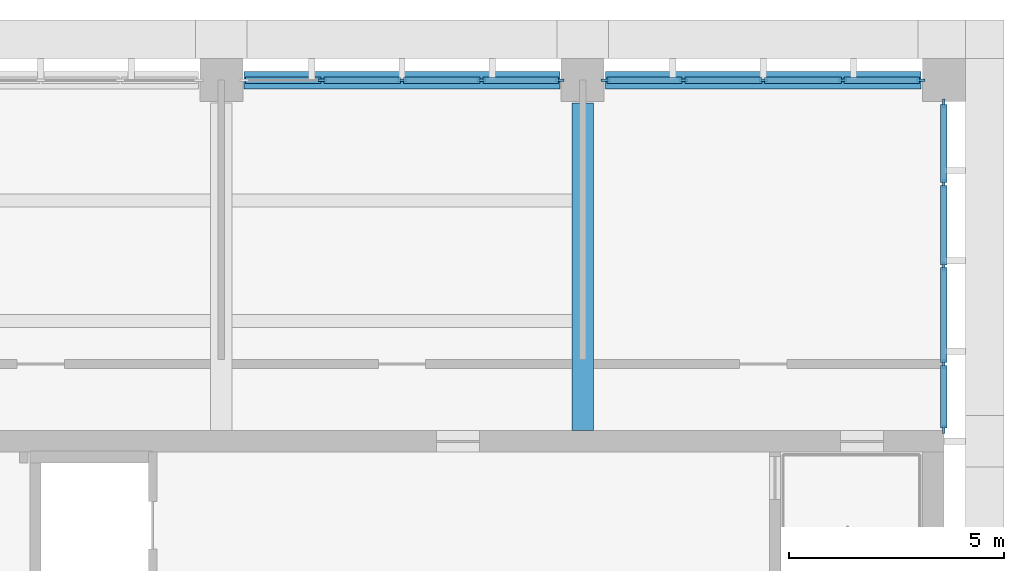
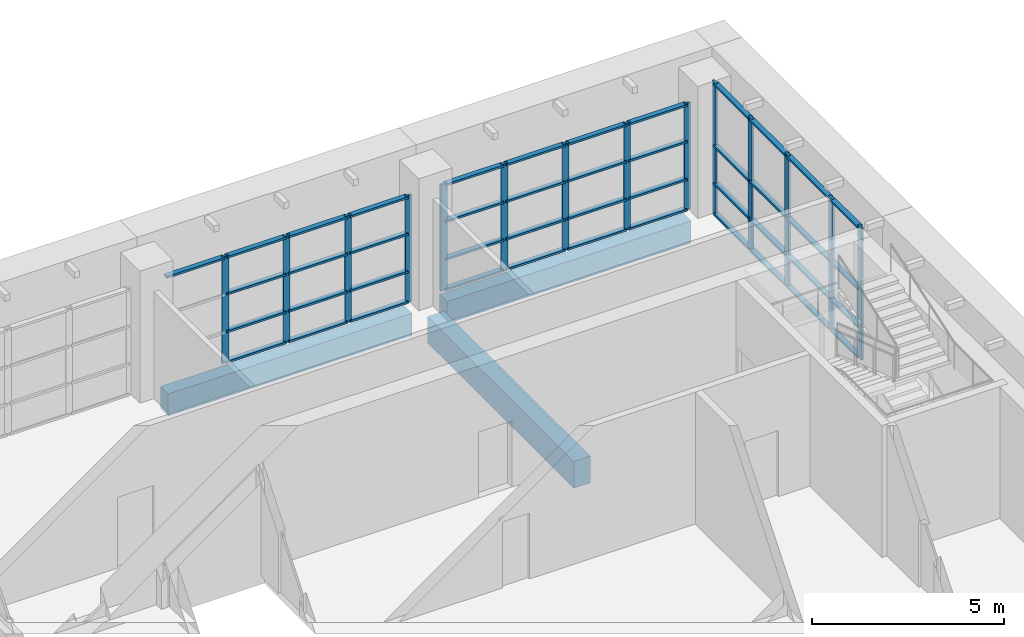
# One storey, part 9 of 56: 59 members, 3 beams, 3 elements without a shape of their own.
"""IFC4 building model written with IfcOpenShell, lengths in metres."""

import ifcopenshell
import ifcopenshell.guid

model = None  # the IFC model being written
_history = None  # IfcOwnerHistory: only IFC2X3 demands one
_inside = {}  # id of a spatial element -> (the spatial element, [elements in it])
_under = {}  # id of a project, library or spatial element -> (it, [spatial elements below it])
_declared = {}  # id of a project -> (the project, [libraries it declares])
_typed = {}  # id of a type object -> (the type object, [elements of that type])
_made_of = {}  # id of a material, layer set ... -> (it, [elements and type objects made of it])


def new_model(schema):
    """Start an empty IFC model of exactly this schema.

    Asked for "IFC4X3", IfcOpenShell would pick the latest addendum, in which some entities
    have other attributes; the version numbers below select the first issue.
    IFC2X3 requires an IfcOwnerHistory on every rooted entity: one is made here for all.
    """
    global model, _history
    if schema == "IFC4X3":
        model = ifcopenshell.file(schema_version=(4, 3, 0, 0))
    else:
        model = ifcopenshell.file(schema=schema)
    _inside.clear()
    _under.clear()
    _declared.clear()
    _typed.clear()
    _made_of.clear()
    _history = None
    if model.schema == "IFC2X3":
        org = make("IfcOrganization", Name="unknown")
        user = make(
            "IfcPersonAndOrganization",
            ThePerson=make("IfcPerson", FamilyName="unknown"),
            TheOrganization=org,
        )
        app = make(
            "IfcApplication",
            ApplicationDeveloper=org,
            Version="unknown",
            ApplicationFullName="unknown",
            ApplicationIdentifier="unknown",
        )
        _history = make(
            "IfcOwnerHistory",
            OwningUser=user,
            OwningApplication=app,
            ChangeAction="ADDED",
            CreationDate=0,
        )
    return model


def make(cls, **values):
    """One entity of the class cls with the attributes given. An attribute that is None is left unset."""
    return model.create_entity(
        cls, **{name: value for name, value in values.items() if value is not None}
    )


def rooted(cls, **values):
    """An entity with a GlobalId (a new one), such as an element, a storey or a relation."""
    return make(cls, GlobalId=ifcopenshell.guid.new(), OwnerHistory=_history, **values)


def si_unit(unit_type, name, prefix=None):
    """IfcSIUnit, for example si_unit("LENGTHUNIT", "METRE", prefix="MILLI")."""
    return make("IfcSIUnit", UnitType=unit_type, Prefix=prefix, Name=name)


def assignment(units):
    """IfcUnitAssignment: the units of a project."""
    return None if units is None else make("IfcUnitAssignment", Units=units)


def point(xyz):
    """IfcCartesianPoint."""
    return None if xyz is None else make("IfcCartesianPoint", Coordinates=xyz)


def direction(xyz):
    """IfcDirection."""
    return None if xyz is None else make("IfcDirection", DirectionRatios=xyz)


def frame(location, z_axis=None, x_axis=None):
    """IfcAxis2Placement3D, a coordinate frame: its origin and axes. An axis left out is left unset."""
    return make(
        "IfcAxis2Placement3D",
        Location=point(location),
        Axis=direction(z_axis),
        RefDirection=direction(x_axis),
    )


def frame_2d(location, x_axis=None):
    """IfcAxis2Placement2D, a coordinate frame in the plane: its origin and x axis."""
    return make(
        "IfcAxis2Placement2D", Location=point(location), RefDirection=direction(x_axis)
    )


def origin():
    """The frame at (0, 0, 0) with its axes left unset."""
    return frame((0.0, 0.0, 0.0))


def origin_2d():
    """The frame at (0, 0) in the plane with its x axis left unset."""
    return frame_2d((0.0, 0.0))


def place(relative_to, where):
    """IfcLocalPlacement: puts the frame where relative to a parent placement (None: the world)."""
    return make(
        "IfcLocalPlacement", PlacementRelTo=relative_to, RelativePlacement=where
    )


def context(
    kind, dimensions, precision=None, world=None, true_north=None, identifier=None
):
    """IfcGeometricRepresentationContext, for example the 3D "Model" context."""
    return make(
        "IfcGeometricRepresentationContext",
        ContextIdentifier=identifier,
        ContextType=kind,
        CoordinateSpaceDimension=dimensions,
        Precision=precision,
        WorldCoordinateSystem=world,
        TrueNorth=true_north,
    )


def subcontext(parent, identifier, kind, view, scale=None):
    """IfcGeometricRepresentationSubContext, for example "Body" below "Model"."""
    return make(
        "IfcGeometricRepresentationSubContext",
        ContextIdentifier=identifier,
        ContextType=kind,
        ParentContext=parent,
        TargetScale=scale,
        TargetView=view,
    )


def project(units=None, contexts=None):
    """IfcProject with its units and contexts."""
    return rooted(
        "IfcProject",
        Name="project",
        RepresentationContexts=contexts,
        UnitsInContext=assignment(units),
    )


def spatial(cls, under=None, at=None, **own):
    """A site, building, storey or space (cls), placed at a placement, below another one or the project."""
    s = rooted(cls, ObjectPlacement=at, **own)
    if under is not None:
        _under.setdefault(under.id(), (under, []))[1].append(s)
    return s


def profile(cls, at=None, kind="AREA", **sizes):
    """A parametric profile (cls). Its sizes go by their IFC names, for example OverallWidth=200.0."""
    return make(cls, ProfileType=kind, Position=at, **sizes)


def rectangle(**sizes):
    """IfcRectangleProfileDef."""
    return profile("IfcRectangleProfileDef", **sizes)


def extrude(swept, where, along, depth):
    """IfcExtrudedAreaSolid: the profile swept, set in the frame where, extruded along a direction by depth."""
    return make(
        "IfcExtrudedAreaSolid",
        SweptArea=swept,
        Position=where,
        ExtrudedDirection=direction(along),
        Depth=depth,
    )


def shape(context_of_items, identifier, shape_type, items):
    """IfcShapeRepresentation: the items that make up one representation, for example the "Body"."""
    return make(
        "IfcShapeRepresentation",
        ContextOfItems=context_of_items,
        RepresentationIdentifier=identifier,
        RepresentationType=shape_type,
        Items=items,
    )


def material(Name=None, Category=None):
    """IfcMaterial."""
    return make("IfcMaterial", Name=Name, Category=Category)


def layer(
    of_material, thickness, ventilated=None, Name=None, Category=None, Priority=None
):
    """IfcMaterialLayer: one layer of a wall or slab, of a material (None: an air gap)."""
    return make(
        "IfcMaterialLayer",
        Material=of_material,
        LayerThickness=thickness,
        IsVentilated=ventilated,
        Name=Name,
        Category=Category,
        Priority=Priority,
    )


def layer_set(layers, Name=None):
    """IfcMaterialLayerSet."""
    return make("IfcMaterialLayerSet", MaterialLayers=layers, LayerSetName=Name)


def material_profile(
    of_material, cross_section, Name=None, Category=None, Priority=None
):
    """IfcMaterialProfile: a cross section and its material."""
    return make(
        "IfcMaterialProfile",
        Name=Name,
        Material=of_material,
        Profile=cross_section,
        Priority=Priority,
        Category=Category,
    )


def profile_set(profiles, Name=None, composite=None):
    """IfcMaterialProfileSet."""
    return make(
        "IfcMaterialProfileSet",
        Name=Name,
        MaterialProfiles=profiles,
        CompositeProfile=composite,
    )


def made_of(thing, what):
    """Note that an element or type object is made of a material, layer set ...; save() writes the relation."""
    if what is not None:
        _made_of.setdefault(what.id(), (what, []))[1].append(thing)
    return thing


def type_object(cls, material=None, **own):
    """A type object (cls), such as IfcWallType, which elements share."""
    return made_of(rooted(cls, **own), material)


def element(
    cls,
    number,
    at=None,
    inside=None,
    cuts=None,
    type_object=None,
    material=None,
    context=None,
    identifier="Body",
    shape_type=None,
    held_by="IfcProductDefinitionShape",
    body=None,
    shapes=None,
    **own,
):
    """One element of the class cls, such as IfcWall. Its Tag is "e" and its number.

    at: its placement. inside: the storey or other place that contains it. cuts: it is an
    opening in that element (IfcRelVoidsElement). A single representation is given by context,
    identifier, shape_type and body (its items); several are given by shapes. held_by: the class
    of the entity that holds the representations. save() writes the other relations.
    """
    e = rooted(cls, Tag="e%d" % number, ObjectPlacement=at, **own)
    if body is not None:
        shapes = [shape(context, identifier, shape_type, body)]
    if shapes is not None:
        e.Representation = make(held_by, Representations=shapes)
    if inside is not None:
        _inside.setdefault(inside.id(), (inside, []))[1].append(e)
    if cuts is not None:
        rooted(
            "IfcRelVoidsElement", RelatingBuildingElement=cuts, RelatedOpeningElement=e
        )
    if type_object is not None:
        _typed.setdefault(type_object.id(), (type_object, []))[1].append(e)
    return made_of(e, material)


def aggregate(whole, parts):
    """IfcRelAggregates: a whole, such as a stair, and the parts it consists of."""
    return rooted("IfcRelAggregates", RelatingObject=whole, RelatedObjects=parts)


def save(model, path):
    """Write the relations noted so far, then the file.

    IfcRelAggregates (storeys below a building ...), IfcRelContainedInSpatialStructure (elements
    in a storey), IfcRelDefinesByType, IfcRelAssociatesMaterial and IfcRelDeclares: one each for
    every whole, place, type object, material and project.
    """
    for whole, parts in _under.values():
        aggregate(whole, parts)
    for where, things in _inside.values():
        rooted(
            "IfcRelContainedInSpatialStructure",
            RelatedElements=things,
            RelatingStructure=where,
        )
    for kind, things in _typed.values():
        rooted("IfcRelDefinesByType", RelatedObjects=things, RelatingType=kind)
    for what, things in _made_of.values():
        rooted("IfcRelAssociatesMaterial", RelatedObjects=things, RelatingMaterial=what)
    for by, libraries in _declared.values():
        rooted("IfcRelDeclares", RelatingContext=by, RelatedDefinitions=libraries)
    model.write(path)


model = new_model("IFC4")

# Units and contexts
model_context = context("Model", 3, precision=1e-05, world=origin(), true_north=direction((0.0, 1.0)))
body_context = subcontext(model_context, "Body", "Model", "MODEL_VIEW")
ifc_project = project(units=[si_unit("LENGTHUNIT", "METRE"), si_unit("AREAUNIT", "SQUARE_METRE"), si_unit("VOLUMEUNIT", "CUBIC_METRE"), si_unit("PLANEANGLEUNIT", "RADIAN"), si_unit("MASSUNIT", "GRAM", prefix="KILO")], contexts=[model_context])

# Site, building, storey
site_placement = place(None, origin())
site = spatial("IfcSite", under=ifc_project, at=site_placement, CompositionType="ELEMENT")
building_placement = place(site_placement, origin())
building = spatial("IfcBuilding", under=site, at=building_placement, Name="Rulbaag Community and Learning Centre", CompositionType="ELEMENT")
storey_placement = place(building_placement, frame((0.0, 0.0, 9.89990234375)))
storey = spatial("IfcBuildingStorey", under=building, at=storey_placement, Name="L02", CompositionType="ELEMENT", Elevation=9.89990234375)

# Beams
ifc_material_1 = material(Name="Concrete M40", Category="concrete")
ifc_material_profile_1 = material_profile(ifc_material_1, rectangle(XDim=0.39990234375, YDim=0.699951171875, at=origin_2d()), Name="RB400x700")
ifc_profile_set_1 = profile_set([ifc_material_profile_1], Name="Concrete M40")
beam_type_1 = type_object("IfcBeamType", Name="B17 Tower edge beam, lower zone 400x700 Concrete M40", PredefinedType="BEAM", material=ifc_profile_set_1)
for number, where, z_axis, x_axis, name in (
    (1, (151.72998046875, 117.60009765625, -0.599853515625), (1.0, 0.0, 0.0), (0.0, 1.0, 0.0), "BM-L02-19O-20O"),
    (2, (160.1298828125, 117.60009765625, -0.599853515625), (1.0, 0.0, 0.0), (0.0, 1.0, 0.0), "BM-L02-20O-21O"),
):
    element("IfcBeam", number, at=place(storey_placement, frame(where, z_axis=z_axis, x_axis=x_axis)), inside=storey, type_object=beam_type_1, Name=name, PredefinedType="BEAM", context=body_context, shape_type="SweptSolid", body=[
        extrude(rectangle(XDim=0.39990234375, YDim=0.699951171875, at=origin_2d()), origin(), (0.0, 0.0, 1.0), 7.340087890625),
    ])
ifc_material_profile_2 = material_profile(ifc_material_1, rectangle(XDim=0.5, YDim=0.85009765625, at=origin_2d()), Name="RB500x850")
ifc_profile_set_2 = profile_set([ifc_material_profile_2], Name="Concrete M40")
beam_type_2 = type_object("IfcBeamType", Name="B18 Core-framing beam, lower zone 500x850 Concrete M40", PredefinedType="BEAM", material=ifc_profile_set_2)
beam_placement = place(storey_placement, frame((159.60009765625, 109.449951171875, -0.6748046875), z_axis=(0.0, 1.0, 0.0), x_axis=(-1.0, 0.0, 0.0)))
element("IfcBeam", 3, at=beam_placement, inside=storey, type_object=beam_type_2, Name="BM-L02-20N-20O", PredefinedType="BEAM", context=body_context, shape_type="SweptSolid", body=[
    extrude(rectangle(XDim=0.5, YDim=0.85009765625, at=origin_2d()), origin(), (0.0, 0.0, 1.0), 7.6201171875),
])

# Curtain wall, members
ifc_material_2 = material(Name="Aluminium", Category="aluminium")
ifc_layer = layer(ifc_material_2, 0.14990234375)
ifc_layer_set = layer_set([ifc_layer], Name="CW-T")
curtain_wall_type = type_object("IfcCurtainWallType", Name="CW-T", PredefinedType="USERDEFINED", material=ifc_layer_set)
curtain_wall_1_placement = place(storey_placement, origin())
curtain_wall_1 = element("IfcCurtainWall", 4, at=curtain_wall_1_placement, inside=storey, type_object=curtain_wall_type, Name="GT-L02-02", ObjectType="UNITISED CURTAIN WALL", PredefinedType="USERDEFINED")
ifc_material_3 = material(Name="Aluminium mullion", Category="aluminium")
ifc_material_profile_3 = material_profile(ifc_material_3, rectangle(XDim=0.06494140625, YDim=0.199951171875, at=origin_2d()), Name="AL 65x200")
ifc_profile_set_3 = profile_set([ifc_material_profile_3], Name="Aluminium mullion")
member_type_1 = type_object("IfcMemberType", Name="CW-T-MUL", PredefinedType="MULLION", material=ifc_profile_set_3)
member_1_placement = place(storey_placement, frame((153.550048828125, 117.60009765625, 0.0), z_axis=(0.0, 0.0, 1.0), x_axis=(0.0, 1.0, 0.0)))
member_1 = element("IfcMember", 5, at=member_1_placement, type_object=member_type_1, Name="GT mullion 2", PredefinedType="MULLION", context=body_context, shape_type="SweptSolid", body=[
    extrude(rectangle(XDim=0.06494140625, YDim=0.199951171875, at=origin_2d()), origin(), (0.0, 0.0, 1.0), 3.400146484375),
])
member_2_placement = place(storey_placement, frame((155.39990234375, 117.60009765625, 0.0), z_axis=(0.0, 0.0, 1.0), x_axis=(0.0, 1.0, 0.0)))
member_2 = element("IfcMember", 6, at=member_2_placement, type_object=member_type_1, Name="GT mullion 3", PredefinedType="MULLION", context=body_context, shape_type="SweptSolid", body=[
    extrude(rectangle(XDim=0.06494140625, YDim=0.199951171875, at=origin_2d()), origin(), (0.0, 0.0, 1.0), 3.400146484375),
])
member_3_placement = place(storey_placement, frame((157.25, 117.60009765625, 0.0), z_axis=(0.0, 0.0, 1.0), x_axis=(0.0, 1.0, 0.0)))
member_3 = element("IfcMember", 7, at=member_3_placement, type_object=member_type_1, Name="GT mullion 4", PredefinedType="MULLION", context=body_context, shape_type="SweptSolid", body=[
    extrude(rectangle(XDim=0.06494140625, YDim=0.199951171875, at=origin_2d()), origin(), (0.0, 0.0, 1.0), 3.400146484375),
])
member_4_placement = place(storey_placement, frame((159.0673828125, 117.60009765625, 0.0), z_axis=(0.0, 0.0, 1.0), x_axis=(0.0, 1.0, 0.0)))
member_4 = element("IfcMember", 8, at=member_4_placement, type_object=member_type_1, Name="GT mullion 5", PredefinedType="MULLION", context=body_context, shape_type="SweptSolid", body=[
    extrude(rectangle(XDim=0.06494140625, YDim=0.199951171875, at=origin_2d()), origin(), (0.0, 0.0, 1.0), 3.400146484375),
])

curtain_wall_2_placement = place(storey_placement, origin())
curtain_wall_2 = element("IfcCurtainWall", 9, at=curtain_wall_2_placement, inside=storey, type_object=curtain_wall_type, Name="GT-L02-03", ObjectType="UNITISED CURTAIN WALL", PredefinedType="USERDEFINED")
member_5_placement = place(storey_placement, frame((160.132568359375, 117.60009765625, 0.0), z_axis=(0.0, 0.0, 1.0), x_axis=(0.0, 1.0, 0.0)))
member_5 = element("IfcMember", 10, at=member_5_placement, type_object=member_type_1, Name="GT mullion 1", PredefinedType="MULLION", context=body_context, shape_type="SweptSolid", body=[
    extrude(rectangle(XDim=0.06494140625, YDim=0.199951171875, at=origin_2d()), origin(), (0.0, 0.0, 1.0), 3.400146484375),
])
member_6_placement = place(storey_placement, frame((161.949951171875, 117.60009765625, 0.0), z_axis=(0.0, 0.0, 1.0), x_axis=(0.0, 1.0, 0.0)))
member_6 = element("IfcMember", 11, at=member_6_placement, type_object=member_type_1, Name="GT mullion 2", PredefinedType="MULLION", context=body_context, shape_type="SweptSolid", body=[
    extrude(rectangle(XDim=0.06494140625, YDim=0.199951171875, at=origin_2d()), origin(), (0.0, 0.0, 1.0), 3.400146484375),
])
member_7_placement = place(storey_placement, frame((163.800048828125, 117.60009765625, 0.0), z_axis=(0.0, 0.0, 1.0), x_axis=(0.0, 1.0, 0.0)))
member_7 = element("IfcMember", 12, at=member_7_placement, type_object=member_type_1, Name="GT mullion 3", PredefinedType="MULLION", context=body_context, shape_type="SweptSolid", body=[
    extrude(rectangle(XDim=0.06494140625, YDim=0.199951171875, at=origin_2d()), origin(), (0.0, 0.0, 1.0), 3.400146484375),
])
member_8_placement = place(storey_placement, frame((165.64990234375, 117.60009765625, 0.0), z_axis=(0.0, 0.0, 1.0), x_axis=(0.0, 1.0, 0.0)))
member_8 = element("IfcMember", 13, at=member_8_placement, type_object=member_type_1, Name="GT mullion 4", PredefinedType="MULLION", context=body_context, shape_type="SweptSolid", body=[
    extrude(rectangle(XDim=0.06494140625, YDim=0.199951171875, at=origin_2d()), origin(), (0.0, 0.0, 1.0), 3.400146484375),
])
member_9_placement = place(storey_placement, frame((167.467529296875, 117.60009765625, 0.0), z_axis=(0.0, 0.0, 1.0), x_axis=(0.0, 1.0, 0.0)))
member_9 = element("IfcMember", 14, at=member_9_placement, type_object=member_type_1, Name="GT mullion 5", PredefinedType="MULLION", context=body_context, shape_type="SweptSolid", body=[
    extrude(rectangle(XDim=0.06494140625, YDim=0.199951171875, at=origin_2d()), origin(), (0.0, 0.0, 1.0), 3.400146484375),
])

curtain_wall_3_placement = place(storey_placement, origin())
curtain_wall_3 = element("IfcCurtainWall", 15, at=curtain_wall_3_placement, inside=storey, type_object=curtain_wall_type, Name="GT-L02-06", ObjectType="UNITISED CURTAIN WALL", PredefinedType="USERDEFINED")
member_10_placement = place(storey_placement, frame((168.0, 109.482421875, 0.0), z_axis=(0.0, 0.0, 1.0), x_axis=(-1.0, 0.0, 0.0)))
member_10 = element("IfcMember", 16, at=member_10_placement, type_object=member_type_1, Name="GT mullion 1", PredefinedType="MULLION", context=body_context, shape_type="SweptSolid", body=[
    extrude(rectangle(XDim=0.06494140625, YDim=0.199951171875, at=origin_2d()), origin(), (0.0, 0.0, 1.0), 4.2001953125),
])
member_11_placement = place(storey_placement, frame((168.0, 111.0, 0.0), z_axis=(0.0, 0.0, 1.0), x_axis=(-1.0, 0.0, 0.0)))
member_11 = element("IfcMember", 17, at=member_11_placement, type_object=member_type_1, Name="GT mullion 2", PredefinedType="MULLION", context=body_context, shape_type="SweptSolid", body=[
    extrude(rectangle(XDim=0.06494140625, YDim=0.199951171875, at=origin_2d()), origin(), (0.0, 0.0, 1.0), 4.2001953125),
])
member_12_placement = place(storey_placement, frame((168.0, 113.27490234375, 0.0), z_axis=(0.0, 0.0, 1.0), x_axis=(-1.0, 0.0, 0.0)))
member_12 = element("IfcMember", 18, at=member_12_placement, type_object=member_type_1, Name="GT mullion 3", PredefinedType="MULLION", context=body_context, shape_type="SweptSolid", body=[
    extrude(rectangle(XDim=0.06494140625, YDim=0.199951171875, at=origin_2d()), origin(), (0.0, 0.0, 1.0), 4.2001953125),
])
member_13_placement = place(storey_placement, frame((168.0, 115.1875, 0.0), z_axis=(0.0, 0.0, 1.0), x_axis=(-1.0, 0.0, 0.0)))
member_13 = element("IfcMember", 19, at=member_13_placement, type_object=member_type_1, Name="GT mullion 4", PredefinedType="MULLION", context=body_context, shape_type="SweptSolid", body=[
    extrude(rectangle(XDim=0.06494140625, YDim=0.199951171875, at=origin_2d()), origin(), (0.0, 0.0, 1.0), 4.2001953125),
])
member_14_placement = place(storey_placement, frame((168.0, 117.0673828125, 0.0), z_axis=(0.0, 0.0, 1.0), x_axis=(-1.0, 0.0, 0.0)))
member_14 = element("IfcMember", 20, at=member_14_placement, type_object=member_type_1, Name="GT mullion 5", PredefinedType="MULLION", context=body_context, shape_type="SweptSolid", body=[
    extrude(rectangle(XDim=0.06494140625, YDim=0.199951171875, at=origin_2d()), origin(), (0.0, 0.0, 1.0), 4.2001953125),
])

# Member
ifc_material_4 = material(Name="Aluminium transom", Category="aluminium")
ifc_material_profile_4 = material_profile(ifc_material_4, rectangle(XDim=0.14990234375, YDim=0.06494140625, at=origin_2d()), Name="AL 65x150 T")
ifc_profile_set_4 = profile_set([ifc_material_profile_4], Name="Aluminium transom")
member_type_2 = type_object("IfcMemberType", Name="CW-T-TRN", PredefinedType="USERDEFINED", material=ifc_profile_set_4)
member_15_placement = place(storey_placement, frame((151.764892578125, 117.60009765625, 3.36767578125), z_axis=(1.0, 0.0, 0.0), x_axis=(0.0, 1.0, 0.0)))
member_15 = element("IfcMember", 21, at=member_15_placement, type_object=member_type_2, Name="GT transom 1.4", ObjectType="TRANSOM", PredefinedType="USERDEFINED", context=body_context, shape_type="SweptSolid", body=[
    extrude(rectangle(XDim=0.14990234375, YDim=0.06494140625, at=origin_2d()), origin(), (0.0, 0.0, 1.0), 1.752685546875),
])

member_16_placement = place(storey_placement, frame((153.58251953125, 117.60009765625, 0.03271484375), z_axis=(1.0, 0.0, 0.0), x_axis=(0.0, 1.0, 0.0)))
member_16 = element("IfcMember", 22, at=member_16_placement, type_object=member_type_2, Name="GT transom 2.1", ObjectType="TRANSOM", PredefinedType="USERDEFINED", context=body_context, shape_type="SweptSolid", body=[
    extrude(rectangle(XDim=0.14990234375, YDim=0.06494140625, at=origin_2d()), origin(), (0.0, 0.0, 1.0), 1.784912109375),
])

member_17_placement = place(storey_placement, frame((153.58251953125, 117.60009765625, 1.0), z_axis=(1.0, 0.0, 0.0), x_axis=(0.0, 1.0, 0.0)))
member_17 = element("IfcMember", 23, at=member_17_placement, type_object=member_type_2, Name="GT transom 2.2", ObjectType="TRANSOM", PredefinedType="USERDEFINED", context=body_context, shape_type="SweptSolid", body=[
    extrude(rectangle(XDim=0.14990234375, YDim=0.06494140625, at=origin_2d()), origin(), (0.0, 0.0, 1.0), 1.784912109375),
])

member_18_placement = place(storey_placement, frame((153.58251953125, 117.60009765625, 2.2001953125), z_axis=(1.0, 0.0, 0.0), x_axis=(0.0, 1.0, 0.0)))
member_18 = element("IfcMember", 24, at=member_18_placement, type_object=member_type_2, Name="GT transom 2.3", ObjectType="TRANSOM", PredefinedType="USERDEFINED", context=body_context, shape_type="SweptSolid", body=[
    extrude(rectangle(XDim=0.14990234375, YDim=0.06494140625, at=origin_2d()), origin(), (0.0, 0.0, 1.0), 1.784912109375),
])

member_19_placement = place(storey_placement, frame((153.58251953125, 117.60009765625, 3.36767578125), z_axis=(1.0, 0.0, 0.0), x_axis=(0.0, 1.0, 0.0)))
member_19 = element("IfcMember", 25, at=member_19_placement, type_object=member_type_2, Name="GT transom 2.4", ObjectType="TRANSOM", PredefinedType="USERDEFINED", context=body_context, shape_type="SweptSolid", body=[
    extrude(rectangle(XDim=0.14990234375, YDim=0.06494140625, at=origin_2d()), origin(), (0.0, 0.0, 1.0), 1.784912109375),
])

member_20_placement = place(storey_placement, frame((155.4326171875, 117.60009765625, 0.03271484375), z_axis=(1.0, 0.0, 0.0), x_axis=(0.0, 1.0, 0.0)))
member_20 = element("IfcMember", 26, at=member_20_placement, type_object=member_type_2, Name="GT transom 3.1", ObjectType="TRANSOM", PredefinedType="USERDEFINED", context=body_context, shape_type="SweptSolid", body=[
    extrude(rectangle(XDim=0.14990234375, YDim=0.06494140625, at=origin_2d()), origin(), (0.0, 0.0, 1.0), 1.784912109375),
])

member_21_placement = place(storey_placement, frame((155.4326171875, 117.60009765625, 1.0), z_axis=(1.0, 0.0, 0.0), x_axis=(0.0, 1.0, 0.0)))
member_21 = element("IfcMember", 27, at=member_21_placement, type_object=member_type_2, Name="GT transom 3.2", ObjectType="TRANSOM", PredefinedType="USERDEFINED", context=body_context, shape_type="SweptSolid", body=[
    extrude(rectangle(XDim=0.14990234375, YDim=0.06494140625, at=origin_2d()), origin(), (0.0, 0.0, 1.0), 1.784912109375),
])

member_22_placement = place(storey_placement, frame((155.4326171875, 117.60009765625, 2.2001953125), z_axis=(1.0, 0.0, 0.0), x_axis=(0.0, 1.0, 0.0)))
member_22 = element("IfcMember", 28, at=member_22_placement, type_object=member_type_2, Name="GT transom 3.3", ObjectType="TRANSOM", PredefinedType="USERDEFINED", context=body_context, shape_type="SweptSolid", body=[
    extrude(rectangle(XDim=0.14990234375, YDim=0.06494140625, at=origin_2d()), origin(), (0.0, 0.0, 1.0), 1.784912109375),
])

member_23_placement = place(storey_placement, frame((155.4326171875, 117.60009765625, 3.36767578125), z_axis=(1.0, 0.0, 0.0), x_axis=(0.0, 1.0, 0.0)))
member_23 = element("IfcMember", 29, at=member_23_placement, type_object=member_type_2, Name="GT transom 3.4", ObjectType="TRANSOM", PredefinedType="USERDEFINED", context=body_context, shape_type="SweptSolid", body=[
    extrude(rectangle(XDim=0.14990234375, YDim=0.06494140625, at=origin_2d()), origin(), (0.0, 0.0, 1.0), 1.784912109375),
])

member_24_placement = place(storey_placement, frame((157.282470703125, 117.60009765625, 0.03271484375), z_axis=(1.0, 0.0, 0.0), x_axis=(0.0, 1.0, 0.0)))
member_24 = element("IfcMember", 30, at=member_24_placement, type_object=member_type_2, Name="GT transom 4.1", ObjectType="TRANSOM", PredefinedType="USERDEFINED", context=body_context, shape_type="SweptSolid", body=[
    extrude(rectangle(XDim=0.14990234375, YDim=0.06494140625, at=origin_2d()), origin(), (0.0, 0.0, 1.0), 1.75244140625),
])

member_25_placement = place(storey_placement, frame((157.282470703125, 117.60009765625, 1.0), z_axis=(1.0, 0.0, 0.0), x_axis=(0.0, 1.0, 0.0)))
member_25 = element("IfcMember", 31, at=member_25_placement, type_object=member_type_2, Name="GT transom 4.2", ObjectType="TRANSOM", PredefinedType="USERDEFINED", context=body_context, shape_type="SweptSolid", body=[
    extrude(rectangle(XDim=0.14990234375, YDim=0.06494140625, at=origin_2d()), origin(), (0.0, 0.0, 1.0), 1.75244140625),
])

member_26_placement = place(storey_placement, frame((157.282470703125, 117.60009765625, 2.2001953125), z_axis=(1.0, 0.0, 0.0), x_axis=(0.0, 1.0, 0.0)))
member_26 = element("IfcMember", 32, at=member_26_placement, type_object=member_type_2, Name="GT transom 4.3", ObjectType="TRANSOM", PredefinedType="USERDEFINED", context=body_context, shape_type="SweptSolid", body=[
    extrude(rectangle(XDim=0.14990234375, YDim=0.06494140625, at=origin_2d()), origin(), (0.0, 0.0, 1.0), 1.75244140625),
])

member_27_placement = place(storey_placement, frame((157.282470703125, 117.60009765625, 3.36767578125), z_axis=(1.0, 0.0, 0.0), x_axis=(0.0, 1.0, 0.0)))
member_27 = element("IfcMember", 33, at=member_27_placement, type_object=member_type_2, Name="GT transom 4.4", ObjectType="TRANSOM", PredefinedType="USERDEFINED", context=body_context, shape_type="SweptSolid", body=[
    extrude(rectangle(XDim=0.14990234375, YDim=0.06494140625, at=origin_2d()), origin(), (0.0, 0.0, 1.0), 1.75244140625),
])

aggregate(curtain_wall_1, [member_1, member_2, member_3, member_4, member_15, member_16, member_17, member_18, member_19, member_20, member_21, member_22, member_23, member_24, member_25, member_26, member_27])

member_28_placement = place(storey_placement, frame((160.1650390625, 117.60009765625, 0.03271484375), z_axis=(1.0, 0.0, 0.0), x_axis=(0.0, 1.0, 0.0)))
member_28 = element("IfcMember", 34, at=member_28_placement, type_object=member_type_2, Name="GT transom 1.1", ObjectType="TRANSOM", PredefinedType="USERDEFINED", context=body_context, shape_type="SweptSolid", body=[
    extrude(rectangle(XDim=0.14990234375, YDim=0.06494140625, at=origin_2d()), origin(), (0.0, 0.0, 1.0), 1.75244140625),
])

member_29_placement = place(storey_placement, frame((160.1650390625, 117.60009765625, 1.0), z_axis=(1.0, 0.0, 0.0), x_axis=(0.0, 1.0, 0.0)))
member_29 = element("IfcMember", 35, at=member_29_placement, type_object=member_type_2, Name="GT transom 1.2", ObjectType="TRANSOM", PredefinedType="USERDEFINED", context=body_context, shape_type="SweptSolid", body=[
    extrude(rectangle(XDim=0.14990234375, YDim=0.06494140625, at=origin_2d()), origin(), (0.0, 0.0, 1.0), 1.75244140625),
])

member_30_placement = place(storey_placement, frame((160.1650390625, 117.60009765625, 2.2001953125), z_axis=(1.0, 0.0, 0.0), x_axis=(0.0, 1.0, 0.0)))
member_30 = element("IfcMember", 36, at=member_30_placement, type_object=member_type_2, Name="GT transom 1.3", ObjectType="TRANSOM", PredefinedType="USERDEFINED", context=body_context, shape_type="SweptSolid", body=[
    extrude(rectangle(XDim=0.14990234375, YDim=0.06494140625, at=origin_2d()), origin(), (0.0, 0.0, 1.0), 1.75244140625),
])

member_31_placement = place(storey_placement, frame((160.1650390625, 117.60009765625, 3.36767578125), z_axis=(1.0, 0.0, 0.0), x_axis=(0.0, 1.0, 0.0)))
member_31 = element("IfcMember", 37, at=member_31_placement, type_object=member_type_2, Name="GT transom 1.4", ObjectType="TRANSOM", PredefinedType="USERDEFINED", context=body_context, shape_type="SweptSolid", body=[
    extrude(rectangle(XDim=0.14990234375, YDim=0.06494140625, at=origin_2d()), origin(), (0.0, 0.0, 1.0), 1.75244140625),
])

member_32_placement = place(storey_placement, frame((161.982421875, 117.60009765625, 0.03271484375), z_axis=(1.0, 0.0, 0.0), x_axis=(0.0, 1.0, 0.0)))
member_32 = element("IfcMember", 38, at=member_32_placement, type_object=member_type_2, Name="GT transom 2.1", ObjectType="TRANSOM", PredefinedType="USERDEFINED", context=body_context, shape_type="SweptSolid", body=[
    extrude(rectangle(XDim=0.14990234375, YDim=0.06494140625, at=origin_2d()), origin(), (0.0, 0.0, 1.0), 1.78515625),
])

member_33_placement = place(storey_placement, frame((161.982421875, 117.60009765625, 1.0), z_axis=(1.0, 0.0, 0.0), x_axis=(0.0, 1.0, 0.0)))
member_33 = element("IfcMember", 39, at=member_33_placement, type_object=member_type_2, Name="GT transom 2.2", ObjectType="TRANSOM", PredefinedType="USERDEFINED", context=body_context, shape_type="SweptSolid", body=[
    extrude(rectangle(XDim=0.14990234375, YDim=0.06494140625, at=origin_2d()), origin(), (0.0, 0.0, 1.0), 1.78515625),
])

member_34_placement = place(storey_placement, frame((161.982421875, 117.60009765625, 2.2001953125), z_axis=(1.0, 0.0, 0.0), x_axis=(0.0, 1.0, 0.0)))
member_34 = element("IfcMember", 40, at=member_34_placement, type_object=member_type_2, Name="GT transom 2.3", ObjectType="TRANSOM", PredefinedType="USERDEFINED", context=body_context, shape_type="SweptSolid", body=[
    extrude(rectangle(XDim=0.14990234375, YDim=0.06494140625, at=origin_2d()), origin(), (0.0, 0.0, 1.0), 1.78515625),
])

member_35_placement = place(storey_placement, frame((161.982421875, 117.60009765625, 3.36767578125), z_axis=(1.0, 0.0, 0.0), x_axis=(0.0, 1.0, 0.0)))
member_35 = element("IfcMember", 41, at=member_35_placement, type_object=member_type_2, Name="GT transom 2.4", ObjectType="TRANSOM", PredefinedType="USERDEFINED", context=body_context, shape_type="SweptSolid", body=[
    extrude(rectangle(XDim=0.14990234375, YDim=0.06494140625, at=origin_2d()), origin(), (0.0, 0.0, 1.0), 1.78515625),
])

member_36_placement = place(storey_placement, frame((163.83251953125, 117.60009765625, 0.03271484375), z_axis=(1.0, 0.0, 0.0), x_axis=(0.0, 1.0, 0.0)))
member_36 = element("IfcMember", 42, at=member_36_placement, type_object=member_type_2, Name="GT transom 3.1", ObjectType="TRANSOM", PredefinedType="USERDEFINED", context=body_context, shape_type="SweptSolid", body=[
    extrude(rectangle(XDim=0.14990234375, YDim=0.06494140625, at=origin_2d()), origin(), (0.0, 0.0, 1.0), 1.784912109375),
])

member_37_placement = place(storey_placement, frame((163.83251953125, 117.60009765625, 1.0), z_axis=(1.0, 0.0, 0.0), x_axis=(0.0, 1.0, 0.0)))
member_37 = element("IfcMember", 43, at=member_37_placement, type_object=member_type_2, Name="GT transom 3.2", ObjectType="TRANSOM", PredefinedType="USERDEFINED", context=body_context, shape_type="SweptSolid", body=[
    extrude(rectangle(XDim=0.14990234375, YDim=0.06494140625, at=origin_2d()), origin(), (0.0, 0.0, 1.0), 1.784912109375),
])

member_38_placement = place(storey_placement, frame((163.83251953125, 117.60009765625, 2.2001953125), z_axis=(1.0, 0.0, 0.0), x_axis=(0.0, 1.0, 0.0)))
member_38 = element("IfcMember", 44, at=member_38_placement, type_object=member_type_2, Name="GT transom 3.3", ObjectType="TRANSOM", PredefinedType="USERDEFINED", context=body_context, shape_type="SweptSolid", body=[
    extrude(rectangle(XDim=0.14990234375, YDim=0.06494140625, at=origin_2d()), origin(), (0.0, 0.0, 1.0), 1.784912109375),
])

member_39_placement = place(storey_placement, frame((163.83251953125, 117.60009765625, 3.36767578125), z_axis=(1.0, 0.0, 0.0), x_axis=(0.0, 1.0, 0.0)))
member_39 = element("IfcMember", 45, at=member_39_placement, type_object=member_type_2, Name="GT transom 3.4", ObjectType="TRANSOM", PredefinedType="USERDEFINED", context=body_context, shape_type="SweptSolid", body=[
    extrude(rectangle(XDim=0.14990234375, YDim=0.06494140625, at=origin_2d()), origin(), (0.0, 0.0, 1.0), 1.784912109375),
])

member_40_placement = place(storey_placement, frame((165.6826171875, 117.60009765625, 0.03271484375), z_axis=(1.0, 0.0, 0.0), x_axis=(0.0, 1.0, 0.0)))
member_40 = element("IfcMember", 46, at=member_40_placement, type_object=member_type_2, Name="GT transom 4.1", ObjectType="TRANSOM", PredefinedType="USERDEFINED", context=body_context, shape_type="SweptSolid", body=[
    extrude(rectangle(XDim=0.14990234375, YDim=0.06494140625, at=origin_2d()), origin(), (0.0, 0.0, 1.0), 1.75244140625),
])

member_41_placement = place(storey_placement, frame((165.6826171875, 117.60009765625, 1.0), z_axis=(1.0, 0.0, 0.0), x_axis=(0.0, 1.0, 0.0)))
member_41 = element("IfcMember", 47, at=member_41_placement, type_object=member_type_2, Name="GT transom 4.2", ObjectType="TRANSOM", PredefinedType="USERDEFINED", context=body_context, shape_type="SweptSolid", body=[
    extrude(rectangle(XDim=0.14990234375, YDim=0.06494140625, at=origin_2d()), origin(), (0.0, 0.0, 1.0), 1.75244140625),
])

member_42_placement = place(storey_placement, frame((165.6826171875, 117.60009765625, 2.2001953125), z_axis=(1.0, 0.0, 0.0), x_axis=(0.0, 1.0, 0.0)))
member_42 = element("IfcMember", 48, at=member_42_placement, type_object=member_type_2, Name="GT transom 4.3", ObjectType="TRANSOM", PredefinedType="USERDEFINED", context=body_context, shape_type="SweptSolid", body=[
    extrude(rectangle(XDim=0.14990234375, YDim=0.06494140625, at=origin_2d()), origin(), (0.0, 0.0, 1.0), 1.75244140625),
])

member_43_placement = place(storey_placement, frame((165.6826171875, 117.60009765625, 3.36767578125), z_axis=(1.0, 0.0, 0.0), x_axis=(0.0, 1.0, 0.0)))
member_43 = element("IfcMember", 49, at=member_43_placement, type_object=member_type_2, Name="GT transom 4.4", ObjectType="TRANSOM", PredefinedType="USERDEFINED", context=body_context, shape_type="SweptSolid", body=[
    extrude(rectangle(XDim=0.14990234375, YDim=0.06494140625, at=origin_2d()), origin(), (0.0, 0.0, 1.0), 1.75244140625),
])

aggregate(curtain_wall_2, [member_5, member_6, member_7, member_8, member_9, member_28, member_29, member_30, member_31, member_32, member_33, member_34, member_35, member_36, member_37, member_38, member_39, member_40, member_41, member_42, member_43])

member_44_placement = place(storey_placement, frame((168.0, 109.514892578125, 0.03271484375), z_axis=(0.0, 1.0, 0.0), x_axis=(-1.0, 0.0, 0.0)))
member_44 = element("IfcMember", 50, at=member_44_placement, type_object=member_type_2, Name="GT transom 1.1", ObjectType="TRANSOM", PredefinedType="USERDEFINED", context=body_context, shape_type="SweptSolid", body=[
    extrude(rectangle(XDim=0.14990234375, YDim=0.06494140625, at=origin_2d()), origin(), (0.0, 0.0, 1.0), 1.45263671875),
])

member_45_placement = place(storey_placement, frame((168.0, 109.514892578125, 1.0), z_axis=(0.0, 1.0, 0.0), x_axis=(-1.0, 0.0, 0.0)))
member_45 = element("IfcMember", 51, at=member_45_placement, type_object=member_type_2, Name="GT transom 1.2", ObjectType="TRANSOM", PredefinedType="USERDEFINED", context=body_context, shape_type="SweptSolid", body=[
    extrude(rectangle(XDim=0.14990234375, YDim=0.06494140625, at=origin_2d()), origin(), (0.0, 0.0, 1.0), 1.45263671875),
])

member_46_placement = place(storey_placement, frame((168.0, 109.514892578125, 2.2001953125), z_axis=(0.0, 1.0, 0.0), x_axis=(-1.0, 0.0, 0.0)))
member_46 = element("IfcMember", 52, at=member_46_placement, type_object=member_type_2, Name="GT transom 1.3", ObjectType="TRANSOM", PredefinedType="USERDEFINED", context=body_context, shape_type="SweptSolid", body=[
    extrude(rectangle(XDim=0.14990234375, YDim=0.06494140625, at=origin_2d()), origin(), (0.0, 0.0, 1.0), 1.45263671875),
])

member_47_placement = place(storey_placement, frame((168.0, 109.514892578125, 4.16748046875), z_axis=(0.0, 1.0, 0.0), x_axis=(-1.0, 0.0, 0.0)))
member_47 = element("IfcMember", 53, at=member_47_placement, type_object=member_type_2, Name="GT transom 1.4", ObjectType="TRANSOM", PredefinedType="USERDEFINED", context=body_context, shape_type="SweptSolid", body=[
    extrude(rectangle(XDim=0.14990234375, YDim=0.06494140625, at=origin_2d()), origin(), (0.0, 0.0, 1.0), 1.45263671875),
])

member_48_placement = place(storey_placement, frame((168.0, 111.032470703125, 0.03271484375), z_axis=(0.0, 1.0, 0.0), x_axis=(-1.0, 0.0, 0.0)))
member_48 = element("IfcMember", 54, at=member_48_placement, type_object=member_type_2, Name="GT transom 2.1", ObjectType="TRANSOM", PredefinedType="USERDEFINED", context=body_context, shape_type="SweptSolid", body=[
    extrude(rectangle(XDim=0.14990234375, YDim=0.06494140625, at=origin_2d()), origin(), (0.0, 0.0, 1.0), 2.2099609375),
])

member_49_placement = place(storey_placement, frame((168.0, 111.032470703125, 1.0), z_axis=(0.0, 1.0, 0.0), x_axis=(-1.0, 0.0, 0.0)))
member_49 = element("IfcMember", 55, at=member_49_placement, type_object=member_type_2, Name="GT transom 2.2", ObjectType="TRANSOM", PredefinedType="USERDEFINED", context=body_context, shape_type="SweptSolid", body=[
    extrude(rectangle(XDim=0.14990234375, YDim=0.06494140625, at=origin_2d()), origin(), (0.0, 0.0, 1.0), 2.2099609375),
])

member_50_placement = place(storey_placement, frame((168.0, 111.032470703125, 2.2001953125), z_axis=(0.0, 1.0, 0.0), x_axis=(-1.0, 0.0, 0.0)))
member_50 = element("IfcMember", 56, at=member_50_placement, type_object=member_type_2, Name="GT transom 2.3", ObjectType="TRANSOM", PredefinedType="USERDEFINED", context=body_context, shape_type="SweptSolid", body=[
    extrude(rectangle(XDim=0.14990234375, YDim=0.06494140625, at=origin_2d()), origin(), (0.0, 0.0, 1.0), 2.2099609375),
])

member_51_placement = place(storey_placement, frame((168.0, 111.032470703125, 4.16748046875), z_axis=(0.0, 1.0, 0.0), x_axis=(-1.0, 0.0, 0.0)))
member_51 = element("IfcMember", 57, at=member_51_placement, type_object=member_type_2, Name="GT transom 2.4", ObjectType="TRANSOM", PredefinedType="USERDEFINED", context=body_context, shape_type="SweptSolid", body=[
    extrude(rectangle(XDim=0.14990234375, YDim=0.06494140625, at=origin_2d()), origin(), (0.0, 0.0, 1.0), 2.2099609375),
])

member_52_placement = place(storey_placement, frame((168.0, 113.3076171875, 0.03271484375), z_axis=(0.0, 1.0, 0.0), x_axis=(-1.0, 0.0, 0.0)))
member_52 = element("IfcMember", 58, at=member_52_placement, type_object=member_type_2, Name="GT transom 3.1", ObjectType="TRANSOM", PredefinedType="USERDEFINED", context=body_context, shape_type="SweptSolid", body=[
    extrude(rectangle(XDim=0.14990234375, YDim=0.06494140625, at=origin_2d()), origin(), (0.0, 0.0, 1.0), 1.847412109375),
])

member_53_placement = place(storey_placement, frame((168.0, 113.3076171875, 1.0), z_axis=(0.0, 1.0, 0.0), x_axis=(-1.0, 0.0, 0.0)))
member_53 = element("IfcMember", 59, at=member_53_placement, type_object=member_type_2, Name="GT transom 3.2", ObjectType="TRANSOM", PredefinedType="USERDEFINED", context=body_context, shape_type="SweptSolid", body=[
    extrude(rectangle(XDim=0.14990234375, YDim=0.06494140625, at=origin_2d()), origin(), (0.0, 0.0, 1.0), 1.847412109375),
])

member_54_placement = place(storey_placement, frame((168.0, 113.3076171875, 2.2001953125), z_axis=(0.0, 1.0, 0.0), x_axis=(-1.0, 0.0, 0.0)))
member_54 = element("IfcMember", 60, at=member_54_placement, type_object=member_type_2, Name="GT transom 3.3", ObjectType="TRANSOM", PredefinedType="USERDEFINED", context=body_context, shape_type="SweptSolid", body=[
    extrude(rectangle(XDim=0.14990234375, YDim=0.06494140625, at=origin_2d()), origin(), (0.0, 0.0, 1.0), 1.847412109375),
])

member_55_placement = place(storey_placement, frame((168.0, 113.3076171875, 4.16748046875), z_axis=(0.0, 1.0, 0.0), x_axis=(-1.0, 0.0, 0.0)))
member_55 = element("IfcMember", 61, at=member_55_placement, type_object=member_type_2, Name="GT transom 3.4", ObjectType="TRANSOM", PredefinedType="USERDEFINED", context=body_context, shape_type="SweptSolid", body=[
    extrude(rectangle(XDim=0.14990234375, YDim=0.06494140625, at=origin_2d()), origin(), (0.0, 0.0, 1.0), 1.847412109375),
])

member_56_placement = place(storey_placement, frame((168.0, 115.219970703125, 0.03271484375), z_axis=(0.0, 1.0, 0.0), x_axis=(-1.0, 0.0, 0.0)))
member_56 = element("IfcMember", 62, at=member_56_placement, type_object=member_type_2, Name="GT transom 4.1", ObjectType="TRANSOM", PredefinedType="USERDEFINED", context=body_context, shape_type="SweptSolid", body=[
    extrude(rectangle(XDim=0.14990234375, YDim=0.06494140625, at=origin_2d()), origin(), (0.0, 0.0, 1.0), 1.81494140625),
])

member_57_placement = place(storey_placement, frame((168.0, 115.219970703125, 1.0), z_axis=(0.0, 1.0, 0.0), x_axis=(-1.0, 0.0, 0.0)))
member_57 = element("IfcMember", 63, at=member_57_placement, type_object=member_type_2, Name="GT transom 4.2", ObjectType="TRANSOM", PredefinedType="USERDEFINED", context=body_context, shape_type="SweptSolid", body=[
    extrude(rectangle(XDim=0.14990234375, YDim=0.06494140625, at=origin_2d()), origin(), (0.0, 0.0, 1.0), 1.81494140625),
])

member_58_placement = place(storey_placement, frame((168.0, 115.219970703125, 2.2001953125), z_axis=(0.0, 1.0, 0.0), x_axis=(-1.0, 0.0, 0.0)))
member_58 = element("IfcMember", 64, at=member_58_placement, type_object=member_type_2, Name="GT transom 4.3", ObjectType="TRANSOM", PredefinedType="USERDEFINED", context=body_context, shape_type="SweptSolid", body=[
    extrude(rectangle(XDim=0.14990234375, YDim=0.06494140625, at=origin_2d()), origin(), (0.0, 0.0, 1.0), 1.81494140625),
])

member_59_placement = place(storey_placement, frame((168.0, 115.219970703125, 4.16748046875), z_axis=(0.0, 1.0, 0.0), x_axis=(-1.0, 0.0, 0.0)))
member_59 = element("IfcMember", 65, at=member_59_placement, type_object=member_type_2, Name="GT transom 4.4", ObjectType="TRANSOM", PredefinedType="USERDEFINED", context=body_context, shape_type="SweptSolid", body=[
    extrude(rectangle(XDim=0.14990234375, YDim=0.06494140625, at=origin_2d()), origin(), (0.0, 0.0, 1.0), 1.81494140625),
])

aggregate(curtain_wall_3, [member_10, member_11, member_12, member_13, member_14, member_44, member_45, member_46, member_47, member_48, member_49, member_50, member_51, member_52, member_53, member_54, member_55, member_56, member_57, member_58, member_59])

save(model, "model.ifc")
